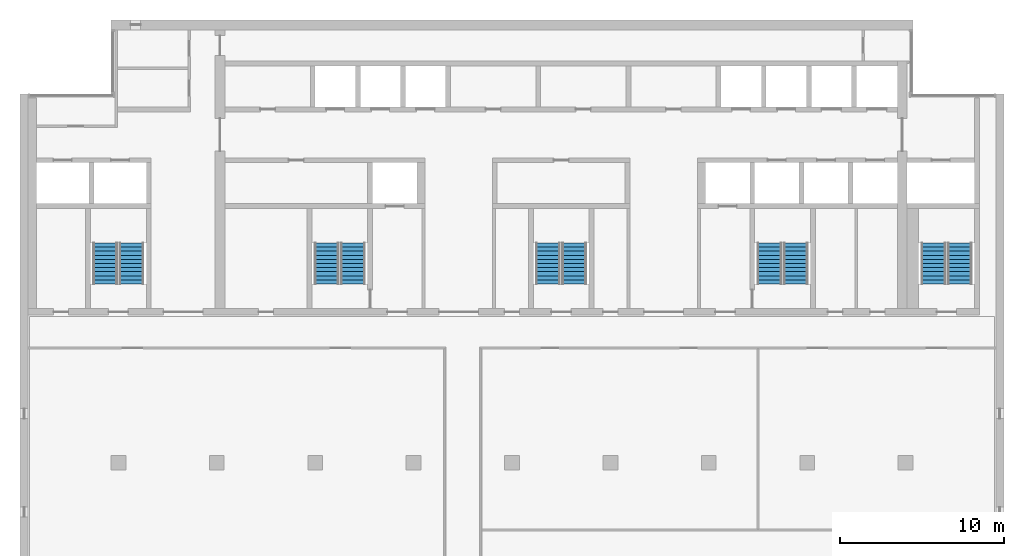
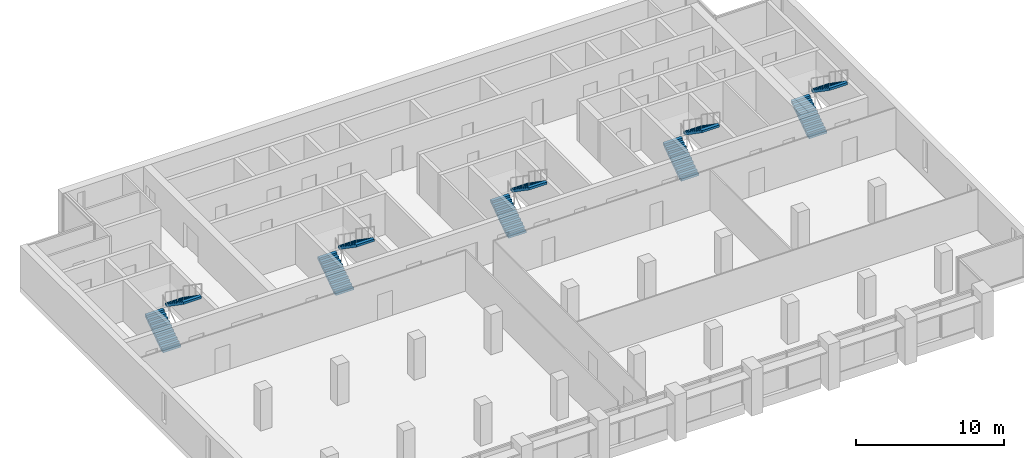
# One storey, part 12 of 14: 10 stair flights, 5 elements without a shape of their own.
"""IFC4 building model written with IfcOpenShell, lengths in metres."""

import ifcopenshell
import ifcopenshell.guid

model = None  # the IFC model being written
_history = None  # IfcOwnerHistory: only IFC2X3 demands one
_inside = {}  # id of a spatial element -> (the spatial element, [elements in it])
_under = {}  # id of a project, library or spatial element -> (it, [spatial elements below it])
_declared = {}  # id of a project -> (the project, [libraries it declares])
_typed = {}  # id of a type object -> (the type object, [elements of that type])
_made_of = {}  # id of a material, layer set ... -> (it, [elements and type objects made of it])


def new_model(schema):
    """Start an empty IFC model of exactly this schema.

    Asked for "IFC4X3", IfcOpenShell would pick the latest addendum, in which some entities
    have other attributes; the version numbers below select the first issue.
    IFC2X3 requires an IfcOwnerHistory on every rooted entity: one is made here for all.
    """
    global model, _history
    if schema == "IFC4X3":
        model = ifcopenshell.file(schema_version=(4, 3, 0, 0))
    else:
        model = ifcopenshell.file(schema=schema)
    _inside.clear()
    _under.clear()
    _declared.clear()
    _typed.clear()
    _made_of.clear()
    _history = None
    if model.schema == "IFC2X3":
        org = make("IfcOrganization", Name="unknown")
        user = make(
            "IfcPersonAndOrganization",
            ThePerson=make("IfcPerson", FamilyName="unknown"),
            TheOrganization=org,
        )
        app = make(
            "IfcApplication",
            ApplicationDeveloper=org,
            Version="unknown",
            ApplicationFullName="unknown",
            ApplicationIdentifier="unknown",
        )
        _history = make(
            "IfcOwnerHistory",
            OwningUser=user,
            OwningApplication=app,
            ChangeAction="ADDED",
            CreationDate=0,
        )
    return model


def make(cls, **values):
    """One entity of the class cls with the attributes given. An attribute that is None is left unset."""
    return model.create_entity(
        cls, **{name: value for name, value in values.items() if value is not None}
    )


def rooted(cls, **values):
    """An entity with a GlobalId (a new one), such as an element, a storey or a relation."""
    return make(cls, GlobalId=ifcopenshell.guid.new(), OwnerHistory=_history, **values)


def si_unit(unit_type, name, prefix=None):
    """IfcSIUnit, for example si_unit("LENGTHUNIT", "METRE", prefix="MILLI")."""
    return make("IfcSIUnit", UnitType=unit_type, Prefix=prefix, Name=name)


def assignment(units):
    """IfcUnitAssignment: the units of a project."""
    return None if units is None else make("IfcUnitAssignment", Units=units)


def point(xyz):
    """IfcCartesianPoint."""
    return None if xyz is None else make("IfcCartesianPoint", Coordinates=xyz)


def direction(xyz):
    """IfcDirection."""
    return None if xyz is None else make("IfcDirection", DirectionRatios=xyz)


def frame(location, z_axis=None, x_axis=None):
    """IfcAxis2Placement3D, a coordinate frame: its origin and axes. An axis left out is left unset."""
    return make(
        "IfcAxis2Placement3D",
        Location=point(location),
        Axis=direction(z_axis),
        RefDirection=direction(x_axis),
    )


def origin():
    """The frame at (0, 0, 0) with its axes left unset."""
    return frame((0.0, 0.0, 0.0))


def place(relative_to, where):
    """IfcLocalPlacement: puts the frame where relative to a parent placement (None: the world)."""
    return make(
        "IfcLocalPlacement", PlacementRelTo=relative_to, RelativePlacement=where
    )


def context(
    kind, dimensions, precision=None, world=None, true_north=None, identifier=None
):
    """IfcGeometricRepresentationContext, for example the 3D "Model" context."""
    return make(
        "IfcGeometricRepresentationContext",
        ContextIdentifier=identifier,
        ContextType=kind,
        CoordinateSpaceDimension=dimensions,
        Precision=precision,
        WorldCoordinateSystem=world,
        TrueNorth=true_north,
    )


def subcontext(parent, identifier, kind, view, scale=None):
    """IfcGeometricRepresentationSubContext, for example "Body" below "Model"."""
    return make(
        "IfcGeometricRepresentationSubContext",
        ContextIdentifier=identifier,
        ContextType=kind,
        ParentContext=parent,
        TargetScale=scale,
        TargetView=view,
    )


def project(units=None, contexts=None):
    """IfcProject with its units and contexts."""
    return rooted(
        "IfcProject",
        Name="project",
        RepresentationContexts=contexts,
        UnitsInContext=assignment(units),
    )


def spatial(cls, under=None, at=None, **own):
    """A site, building, storey or space (cls), placed at a placement, below another one or the project."""
    s = rooted(cls, ObjectPlacement=at, **own)
    if under is not None:
        _under.setdefault(under.id(), (under, []))[1].append(s)
    return s


def polyline(points):
    """IfcPolyline through the points."""
    return make("IfcPolyline", Points=[point(p) for p in points])


def outline(outer, holes=None, kind="AREA"):
    """IfcArbitraryClosedProfileDef: a profile drawn as a closed curve; with holes, ...WithVoids."""
    if holes is None:
        return make("IfcArbitraryClosedProfileDef", ProfileType=kind, OuterCurve=outer)
    return make(
        "IfcArbitraryProfileDefWithVoids",
        ProfileType=kind,
        OuterCurve=outer,
        InnerCurves=holes,
    )


def extrude(swept, where, along, depth):
    """IfcExtrudedAreaSolid: the profile swept, set in the frame where, extruded along a direction by depth."""
    return make(
        "IfcExtrudedAreaSolid",
        SweptArea=swept,
        Position=where,
        ExtrudedDirection=direction(along),
        Depth=depth,
    )


def shape(context_of_items, identifier, shape_type, items):
    """IfcShapeRepresentation: the items that make up one representation, for example the "Body"."""
    return make(
        "IfcShapeRepresentation",
        ContextOfItems=context_of_items,
        RepresentationIdentifier=identifier,
        RepresentationType=shape_type,
        Items=items,
    )


def material(Name=None, Category=None):
    """IfcMaterial."""
    return make("IfcMaterial", Name=Name, Category=Category)


def made_of(thing, what):
    """Note that an element or type object is made of a material, layer set ...; save() writes the relation."""
    if what is not None:
        _made_of.setdefault(what.id(), (what, []))[1].append(thing)
    return thing


def type_object(cls, material=None, **own):
    """A type object (cls), such as IfcWallType, which elements share."""
    return made_of(rooted(cls, **own), material)


def element(
    cls,
    number,
    at=None,
    inside=None,
    cuts=None,
    type_object=None,
    material=None,
    context=None,
    identifier="Body",
    shape_type=None,
    held_by="IfcProductDefinitionShape",
    body=None,
    shapes=None,
    **own,
):
    """One element of the class cls, such as IfcWall. Its Tag is "e" and its number.

    at: its placement. inside: the storey or other place that contains it. cuts: it is an
    opening in that element (IfcRelVoidsElement). A single representation is given by context,
    identifier, shape_type and body (its items); several are given by shapes. held_by: the class
    of the entity that holds the representations. save() writes the other relations.
    """
    e = rooted(cls, Tag="e%d" % number, ObjectPlacement=at, **own)
    if body is not None:
        shapes = [shape(context, identifier, shape_type, body)]
    if shapes is not None:
        e.Representation = make(held_by, Representations=shapes)
    if inside is not None:
        _inside.setdefault(inside.id(), (inside, []))[1].append(e)
    if cuts is not None:
        rooted(
            "IfcRelVoidsElement", RelatingBuildingElement=cuts, RelatedOpeningElement=e
        )
    if type_object is not None:
        _typed.setdefault(type_object.id(), (type_object, []))[1].append(e)
    return made_of(e, material)


def aggregate(whole, parts):
    """IfcRelAggregates: a whole, such as a stair, and the parts it consists of."""
    return rooted("IfcRelAggregates", RelatingObject=whole, RelatedObjects=parts)


def save(model, path):
    """Write the relations noted so far, then the file.

    IfcRelAggregates (storeys below a building ...), IfcRelContainedInSpatialStructure (elements
    in a storey), IfcRelDefinesByType, IfcRelAssociatesMaterial and IfcRelDeclares: one each for
    every whole, place, type object, material and project.
    """
    for whole, parts in _under.values():
        aggregate(whole, parts)
    for where, things in _inside.values():
        rooted(
            "IfcRelContainedInSpatialStructure",
            RelatedElements=things,
            RelatingStructure=where,
        )
    for kind, things in _typed.values():
        rooted("IfcRelDefinesByType", RelatedObjects=things, RelatingType=kind)
    for what, things in _made_of.values():
        rooted("IfcRelAssociatesMaterial", RelatedObjects=things, RelatingMaterial=what)
    for by, libraries in _declared.values():
        rooted("IfcRelDeclares", RelatingContext=by, RelatedDefinitions=libraries)
    model.write(path)


model = new_model("IFC4")

# Units and contexts
model_context = context("Model", 3, precision=1e-05, world=origin(), true_north=direction((0.0, 1.0)))
body_context = subcontext(model_context, "Body", "Model", "MODEL_VIEW")
ifc_project = project(units=[si_unit("LENGTHUNIT", "METRE"), si_unit("AREAUNIT", "SQUARE_METRE"), si_unit("VOLUMEUNIT", "CUBIC_METRE"), si_unit("PLANEANGLEUNIT", "RADIAN"), si_unit("MASSUNIT", "GRAM", prefix="KILO")], contexts=[model_context])

# Site, building, storey
site_placement = place(None, origin())
site = spatial("IfcSite", under=ifc_project, at=site_placement, CompositionType="ELEMENT")
building_placement = place(site_placement, origin())
building = spatial("IfcBuilding", under=site, at=building_placement, Name="Calvaro Tower", CompositionType="ELEMENT")
storey_placement = place(building_placement, frame((0.0, 0.0, 243.14990234375)))
storey = spatial("IfcBuildingStorey", under=building, at=storey_placement, Name="L61", CompositionType="ELEMENT", Elevation=243.14990234375)

# Stair, stair flights
ifc_material_1 = material(Name="Concrete C40/50", Category="concrete")
stair_type = type_object("IfcStairType", Name="Exit stair 1400 2 flights", PredefinedType="HALF_TURN_STAIR", material=ifc_material_1)
stair_1_placement = place(storey_placement, origin())
stair_1 = element("IfcStair", 1, at=stair_1_placement, inside=storey, type_object=stair_type, Name="Exit stair S1", PredefinedType="HALF_TURN_STAIR")
ifc_material_2 = material(Name="Concrete C40/50", Category="concrete")
stair_flight_type = type_object("IfcStairFlightType", Name="Stair flight", PredefinedType="STRAIGHT", material=ifc_material_2)
stair_flight_1_placement = place(storey_placement, frame((11.199951171875, 29.89990234375, 0.0), z_axis=(0.0, 0.0, 1.0), x_axis=(0.0, 1.0, 0.0)))
stair_flight_1 = element("IfcStairFlight", 2, at=stair_flight_1_placement, type_object=stair_flight_type, Name="Exit stair 1, flight 1", NumberOfRisers=11, NumberOfTreads=10, PredefinedType="STRAIGHT", RiserHeight=0.172727273, TreadLength=0.25, context=body_context, shape_type="SweptSolid", body=[
    extrude(outline(polyline([(0.0, 0.0), (0.0, 0.172607421875), (0.25, 0.172607421875), (0.25, 0.345458984375), (0.5, 0.345458984375), (0.5, 0.51806640625), (0.75, 0.51806640625), (0.75, 0.69091796875), (1.0, 0.69091796875), (1.0, 0.863525390625), (1.25, 0.863525390625), (1.25, 1.036376953125), (1.5, 1.036376953125), (1.5, 1.208984375), (1.75, 1.208984375), (1.75, 1.3818359375), (2.0, 1.3818359375), (2.0, 1.554443359375), (2.25, 1.554443359375), (2.25, 1.727294921875), (2.5, 1.727294921875), (2.5, 1.89990234375), (2.5, 1.545166015625), (0.263671875, 0.0), (0.0, 0.0)])), frame((0.0, 0.699951171875, 0.0), z_axis=(0.0, -1.0, 0.0), x_axis=(1.0, 0.0, 0.0)), (0.0, 0.0, 1.0), 1.39990234375),
])
stair_flight_2_placement = place(storey_placement, frame((12.800048828125, 32.39990234375, 1.900146484375), z_axis=(0.0, 0.0, 1.0), x_axis=(0.0, -1.0, 0.0)))
stair_flight_2 = element("IfcStairFlight", 3, at=stair_flight_2_placement, type_object=stair_flight_type, Name="Exit stair 1, flight 2", NumberOfRisers=11, NumberOfTreads=10, PredefinedType="STRAIGHT", RiserHeight=0.172727273, TreadLength=0.25, context=body_context, shape_type="SweptSolid", body=[
    extrude(outline(polyline([(0.0, 0.0), (0.0, 0.172607421875), (0.25, 0.172607421875), (0.25, 0.345458984375), (0.5, 0.345458984375), (0.5, 0.51806640625), (0.75, 0.51806640625), (0.75, 0.69091796875), (1.0, 0.69091796875), (1.0, 0.863525390625), (1.25, 0.863525390625), (1.25, 1.036376953125), (1.5, 1.036376953125), (1.5, 1.208984375), (1.75, 1.208984375), (1.75, 1.3818359375), (2.0, 1.3818359375), (2.0, 1.554443359375), (2.25, 1.554443359375), (2.25, 1.727294921875), (2.5, 1.727294921875), (2.5, 1.89990234375), (2.5, 1.545166015625), (0.263671875, 0.0), (0.0, 0.0)])), frame((0.0, 0.699951171875, 0.0), z_axis=(0.0, -1.0, 0.0), x_axis=(1.0, 0.0, 0.0)), (0.0, 0.0, 1.0), 1.39990234375),
])
aggregate(stair_1, [stair_flight_1, stair_flight_2])

stair_2_placement = place(storey_placement, origin())
stair_2 = element("IfcStair", 4, at=stair_2_placement, inside=storey, type_object=stair_type, Name="Exit stair S2", PredefinedType="HALF_TURN_STAIR")
stair_flight_3_placement = place(storey_placement, frame((24.699951171875, 29.89990234375, 0.0), z_axis=(0.0, 0.0, 1.0), x_axis=(0.0, 1.0, 0.0)))
stair_flight_3 = element("IfcStairFlight", 5, at=stair_flight_3_placement, type_object=stair_flight_type, Name="Exit stair 2, flight 1", NumberOfRisers=11, NumberOfTreads=10, PredefinedType="STRAIGHT", RiserHeight=0.172727273, TreadLength=0.25, context=body_context, shape_type="SweptSolid", body=[
    extrude(outline(polyline([(0.0, 0.0), (0.0, 0.172607421875), (0.25, 0.172607421875), (0.25, 0.345458984375), (0.5, 0.345458984375), (0.5, 0.51806640625), (0.75, 0.51806640625), (0.75, 0.69091796875), (1.0, 0.69091796875), (1.0, 0.863525390625), (1.25, 0.863525390625), (1.25, 1.036376953125), (1.5, 1.036376953125), (1.5, 1.208984375), (1.75, 1.208984375), (1.75, 1.3818359375), (2.0, 1.3818359375), (2.0, 1.554443359375), (2.25, 1.554443359375), (2.25, 1.727294921875), (2.5, 1.727294921875), (2.5, 1.89990234375), (2.5, 1.545166015625), (0.263671875, 0.0), (0.0, 0.0)])), frame((0.0, 0.699951171875, 0.0), z_axis=(0.0, -1.0, 0.0), x_axis=(1.0, 0.0, 0.0)), (0.0, 0.0, 1.0), 1.39990234375),
])
stair_flight_4_placement = place(storey_placement, frame((26.300048828125, 32.39990234375, 1.900146484375), z_axis=(0.0, 0.0, 1.0), x_axis=(0.0, -1.0, 0.0)))
stair_flight_4 = element("IfcStairFlight", 6, at=stair_flight_4_placement, type_object=stair_flight_type, Name="Exit stair 2, flight 2", NumberOfRisers=11, NumberOfTreads=10, PredefinedType="STRAIGHT", RiserHeight=0.172727273, TreadLength=0.25, context=body_context, shape_type="SweptSolid", body=[
    extrude(outline(polyline([(0.0, 0.0), (0.0, 0.172607421875), (0.25, 0.172607421875), (0.25, 0.345458984375), (0.5, 0.345458984375), (0.5, 0.51806640625), (0.75, 0.51806640625), (0.75, 0.69091796875), (1.0, 0.69091796875), (1.0, 0.863525390625), (1.25, 0.863525390625), (1.25, 1.036376953125), (1.5, 1.036376953125), (1.5, 1.208984375), (1.75, 1.208984375), (1.75, 1.3818359375), (2.0, 1.3818359375), (2.0, 1.554443359375), (2.25, 1.554443359375), (2.25, 1.727294921875), (2.5, 1.727294921875), (2.5, 1.89990234375), (2.5, 1.545166015625), (0.263671875, 0.0), (0.0, 0.0)])), frame((0.0, 0.699951171875, 0.0), z_axis=(0.0, -1.0, 0.0), x_axis=(1.0, 0.0, 0.0)), (0.0, 0.0, 1.0), 1.39990234375),
])
aggregate(stair_2, [stair_flight_3, stair_flight_4])

stair_3_placement = place(storey_placement, origin())
stair_3 = element("IfcStair", 7, at=stair_3_placement, inside=storey, type_object=stair_type, Name="Exit stair S3", PredefinedType="HALF_TURN_STAIR")
stair_flight_5_placement = place(storey_placement, frame((38.199951171875, 29.89990234375, 0.0), z_axis=(0.0, 0.0, 1.0), x_axis=(0.0, 1.0, 0.0)))
stair_flight_5 = element("IfcStairFlight", 8, at=stair_flight_5_placement, type_object=stair_flight_type, Name="Exit stair 3, flight 1", NumberOfRisers=11, NumberOfTreads=10, PredefinedType="STRAIGHT", RiserHeight=0.172727273, TreadLength=0.25, context=body_context, shape_type="SweptSolid", body=[
    extrude(outline(polyline([(0.0, 0.0), (0.0, 0.172607421875), (0.25, 0.172607421875), (0.25, 0.345458984375), (0.5, 0.345458984375), (0.5, 0.51806640625), (0.75, 0.51806640625), (0.75, 0.69091796875), (1.0, 0.69091796875), (1.0, 0.863525390625), (1.25, 0.863525390625), (1.25, 1.036376953125), (1.5, 1.036376953125), (1.5, 1.208984375), (1.75, 1.208984375), (1.75, 1.3818359375), (2.0, 1.3818359375), (2.0, 1.554443359375), (2.25, 1.554443359375), (2.25, 1.727294921875), (2.5, 1.727294921875), (2.5, 1.89990234375), (2.5, 1.545166015625), (0.263671875, 0.0), (0.0, 0.0)])), frame((0.0, 0.699951171875, 0.0), z_axis=(0.0, -1.0, 0.0), x_axis=(1.0, 0.0, 0.0)), (0.0, 0.0, 1.0), 1.39990234375),
])
stair_flight_6_placement = place(storey_placement, frame((39.800048828125, 32.39990234375, 1.900146484375), z_axis=(0.0, 0.0, 1.0), x_axis=(0.0, -1.0, 0.0)))
stair_flight_6 = element("IfcStairFlight", 9, at=stair_flight_6_placement, type_object=stair_flight_type, Name="Exit stair 3, flight 2", NumberOfRisers=11, NumberOfTreads=10, PredefinedType="STRAIGHT", RiserHeight=0.172727273, TreadLength=0.25, context=body_context, shape_type="SweptSolid", body=[
    extrude(outline(polyline([(0.0, 0.0), (0.0, 0.172607421875), (0.25, 0.172607421875), (0.25, 0.345458984375), (0.5, 0.345458984375), (0.5, 0.51806640625), (0.75, 0.51806640625), (0.75, 0.69091796875), (1.0, 0.69091796875), (1.0, 0.863525390625), (1.25, 0.863525390625), (1.25, 1.036376953125), (1.5, 1.036376953125), (1.5, 1.208984375), (1.75, 1.208984375), (1.75, 1.3818359375), (2.0, 1.3818359375), (2.0, 1.554443359375), (2.25, 1.554443359375), (2.25, 1.727294921875), (2.5, 1.727294921875), (2.5, 1.89990234375), (2.5, 1.545166015625), (0.263671875, 0.0), (0.0, 0.0)])), frame((0.0, 0.699951171875, 0.0), z_axis=(0.0, -1.0, 0.0), x_axis=(1.0, 0.0, 0.0)), (0.0, 0.0, 1.0), 1.39990234375),
])
aggregate(stair_3, [stair_flight_5, stair_flight_6])

stair_4_placement = place(storey_placement, origin())
stair_4 = element("IfcStair", 10, at=stair_4_placement, inside=storey, type_object=stair_type, Name="Exit stair S4", PredefinedType="HALF_TURN_STAIR")
stair_flight_7_placement = place(storey_placement, frame((51.699951171875, 29.89990234375, 0.0), z_axis=(0.0, 0.0, 1.0), x_axis=(0.0, 1.0, 0.0)))
stair_flight_7 = element("IfcStairFlight", 11, at=stair_flight_7_placement, type_object=stair_flight_type, Name="Exit stair 4, flight 1", NumberOfRisers=11, NumberOfTreads=10, PredefinedType="STRAIGHT", RiserHeight=0.172727273, TreadLength=0.25, context=body_context, shape_type="SweptSolid", body=[
    extrude(outline(polyline([(0.0, 0.0), (0.0, 0.172607421875), (0.25, 0.172607421875), (0.25, 0.345458984375), (0.5, 0.345458984375), (0.5, 0.51806640625), (0.75, 0.51806640625), (0.75, 0.69091796875), (1.0, 0.69091796875), (1.0, 0.863525390625), (1.25, 0.863525390625), (1.25, 1.036376953125), (1.5, 1.036376953125), (1.5, 1.208984375), (1.75, 1.208984375), (1.75, 1.3818359375), (2.0, 1.3818359375), (2.0, 1.554443359375), (2.25, 1.554443359375), (2.25, 1.727294921875), (2.5, 1.727294921875), (2.5, 1.89990234375), (2.5, 1.545166015625), (0.263671875, 0.0), (0.0, 0.0)])), frame((0.0, 0.699951171875, 0.0), z_axis=(0.0, -1.0, 0.0), x_axis=(1.0, 0.0, 0.0)), (0.0, 0.0, 1.0), 1.39990234375),
])
stair_flight_8_placement = place(storey_placement, frame((53.300048828125, 32.39990234375, 1.900146484375), z_axis=(0.0, 0.0, 1.0), x_axis=(0.0, -1.0, 0.0)))
stair_flight_8 = element("IfcStairFlight", 12, at=stair_flight_8_placement, type_object=stair_flight_type, Name="Exit stair 4, flight 2", NumberOfRisers=11, NumberOfTreads=10, PredefinedType="STRAIGHT", RiserHeight=0.172727273, TreadLength=0.25, context=body_context, shape_type="SweptSolid", body=[
    extrude(outline(polyline([(0.0, 0.0), (0.0, 0.172607421875), (0.25, 0.172607421875), (0.25, 0.345458984375), (0.5, 0.345458984375), (0.5, 0.51806640625), (0.75, 0.51806640625), (0.75, 0.69091796875), (1.0, 0.69091796875), (1.0, 0.863525390625), (1.25, 0.863525390625), (1.25, 1.036376953125), (1.5, 1.036376953125), (1.5, 1.208984375), (1.75, 1.208984375), (1.75, 1.3818359375), (2.0, 1.3818359375), (2.0, 1.554443359375), (2.25, 1.554443359375), (2.25, 1.727294921875), (2.5, 1.727294921875), (2.5, 1.89990234375), (2.5, 1.545166015625), (0.263671875, 0.0), (0.0, 0.0)])), frame((0.0, 0.699951171875, 0.0), z_axis=(0.0, -1.0, 0.0), x_axis=(1.0, 0.0, 0.0)), (0.0, 0.0, 1.0), 1.39990234375),
])
aggregate(stair_4, [stair_flight_7, stair_flight_8])

stair_5_placement = place(storey_placement, origin())
stair_5 = element("IfcStair", 13, at=stair_5_placement, inside=storey, type_object=stair_type, Name="Exit stair S5", PredefinedType="HALF_TURN_STAIR")
stair_flight_9_placement = place(storey_placement, frame((61.699951171875, 29.89990234375, 0.0), z_axis=(0.0, 0.0, 1.0), x_axis=(0.0, 1.0, 0.0)))
stair_flight_9 = element("IfcStairFlight", 14, at=stair_flight_9_placement, type_object=stair_flight_type, Name="Exit stair 5, flight 1", NumberOfRisers=11, NumberOfTreads=10, PredefinedType="STRAIGHT", RiserHeight=0.172727273, TreadLength=0.25, context=body_context, shape_type="SweptSolid", body=[
    extrude(outline(polyline([(0.0, 0.0), (0.0, 0.172607421875), (0.25, 0.172607421875), (0.25, 0.345458984375), (0.5, 0.345458984375), (0.5, 0.51806640625), (0.75, 0.51806640625), (0.75, 0.69091796875), (1.0, 0.69091796875), (1.0, 0.863525390625), (1.25, 0.863525390625), (1.25, 1.036376953125), (1.5, 1.036376953125), (1.5, 1.208984375), (1.75, 1.208984375), (1.75, 1.3818359375), (2.0, 1.3818359375), (2.0, 1.554443359375), (2.25, 1.554443359375), (2.25, 1.727294921875), (2.5, 1.727294921875), (2.5, 1.89990234375), (2.5, 1.545166015625), (0.263671875, 0.0), (0.0, 0.0)])), frame((0.0, 0.699951171875, 0.0), z_axis=(0.0, -1.0, 0.0), x_axis=(1.0, 0.0, 0.0)), (0.0, 0.0, 1.0), 1.39990234375),
])
stair_flight_10_placement = place(storey_placement, frame((63.300048828125, 32.39990234375, 1.900146484375), z_axis=(0.0, 0.0, 1.0), x_axis=(0.0, -1.0, 0.0)))
stair_flight_10 = element("IfcStairFlight", 15, at=stair_flight_10_placement, type_object=stair_flight_type, Name="Exit stair 5, flight 2", NumberOfRisers=11, NumberOfTreads=10, PredefinedType="STRAIGHT", RiserHeight=0.172727273, TreadLength=0.25, context=body_context, shape_type="SweptSolid", body=[
    extrude(outline(polyline([(0.0, 0.0), (0.0, 0.172607421875), (0.25, 0.172607421875), (0.25, 0.345458984375), (0.5, 0.345458984375), (0.5, 0.51806640625), (0.75, 0.51806640625), (0.75, 0.69091796875), (1.0, 0.69091796875), (1.0, 0.863525390625), (1.25, 0.863525390625), (1.25, 1.036376953125), (1.5, 1.036376953125), (1.5, 1.208984375), (1.75, 1.208984375), (1.75, 1.3818359375), (2.0, 1.3818359375), (2.0, 1.554443359375), (2.25, 1.554443359375), (2.25, 1.727294921875), (2.5, 1.727294921875), (2.5, 1.89990234375), (2.5, 1.545166015625), (0.263671875, 0.0), (0.0, 0.0)])), frame((0.0, 0.699951171875, 0.0), z_axis=(0.0, -1.0, 0.0), x_axis=(1.0, 0.0, 0.0)), (0.0, 0.0, 1.0), 1.39990234375),
])
aggregate(stair_5, [stair_flight_9, stair_flight_10])

save(model, "model.ifc")
